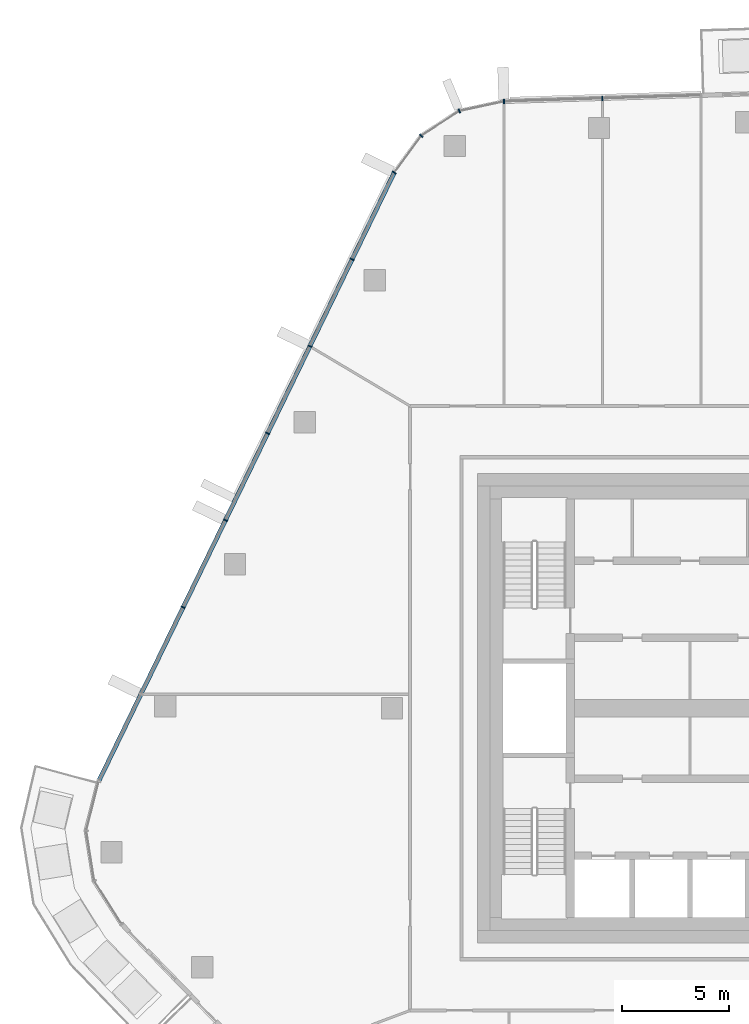
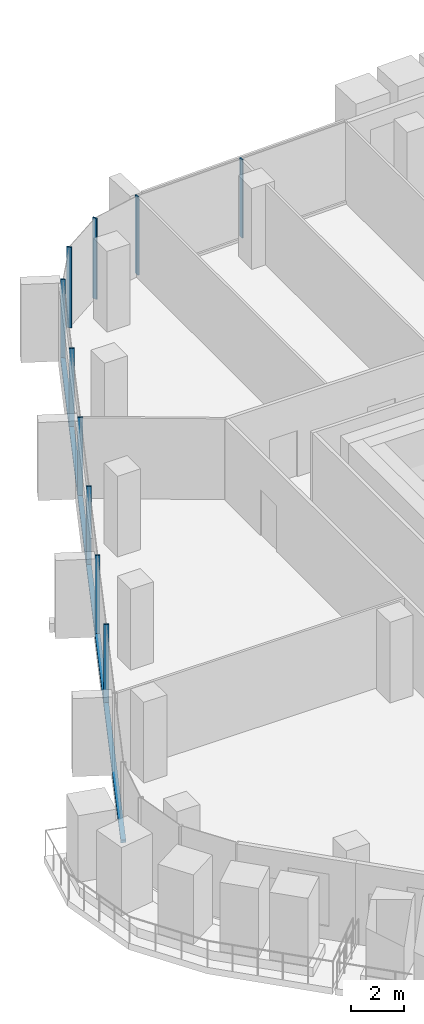
# One storey, part 6 of 24: 11 members, 3 elements without a shape of their own.
"""IFC4 building model written with IfcOpenShell, lengths in metres."""

from ifc_helpers import new_model, si_unit, direction, frame, origin, origin_2d, place, context, subcontext, project, spatial, rectangle, extrude, material, layer, layer_set, material_profile, profile_set, type_object, element, aggregate, save


model = new_model("IFC4")

# Units and contexts
model_context = context("Model", 3, precision=1e-05, world=origin(), true_north=direction((0.0, 1.0)))
body_context = subcontext(model_context, "Body", "Model", "MODEL_VIEW")
ifc_project = project(units=[si_unit("LENGTHUNIT", "METRE"), si_unit("AREAUNIT", "SQUARE_METRE"), si_unit("VOLUMEUNIT", "CUBIC_METRE"), si_unit("PLANEANGLEUNIT", "RADIAN"), si_unit("MASSUNIT", "GRAM", prefix="KILO")], contexts=[model_context])

# Site, building, storey
site_placement = place(None, origin())
site = spatial("IfcSite", under=ifc_project, at=site_placement, CompositionType="ELEMENT")
building_placement = place(site_placement, origin())
building = spatial("IfcBuilding", under=site, at=building_placement, Name="Dongbaek Canopy Tower", CompositionType="ELEMENT")
storey_placement = place(building_placement, frame((0.0, 0.0, 348.800048828125)))
storey = spatial("IfcBuildingStorey", under=building, at=storey_placement, Name="L75", CompositionType="ELEMENT", Elevation=348.800048828125)

# Curtain wall, members
ifc_material_1 = material(Name="Aluminium 6063-T6 pale anodised", Category="aluminium")
ifc_layer = layer(ifc_material_1, 0.199951171875)
ifc_layer_set = layer_set([ifc_layer], Name="CW-1 unitised tower curtain wall")
curtain_wall_type = type_object("IfcCurtainWallType", Name="CW-1 unitised tower curtain wall", PredefinedType="NOTDEFINED", material=ifc_layer_set)
curtain_wall_1_placement = place(storey_placement, origin())
curtain_wall_1 = element("IfcCurtainWall", 1, at=curtain_wall_1_placement, inside=storey, type_object=curtain_wall_type, Name="CW-1 curtain wall F1.1", PredefinedType="NOTDEFINED")
ifc_material_2 = material(Name="Aluminium 6063-T6 pale anodised", Category="aluminium")
ifc_material_profile_1 = material_profile(ifc_material_2, rectangle(XDim=0.199951171875, YDim=0.06005859375, at=origin_2d()), Name="CW-1 mullion 60 x 200")
ifc_profile_set_1 = profile_set([ifc_material_profile_1], Name="Aluminium 6063-T6 pale anodised")
member_type_1 = type_object("IfcMemberType", Name="CW-1 mullion 60 x 200", PredefinedType="MULLION", material=ifc_profile_set_1)
member_1_placement = place(storey_placement, frame((-8.1513671875, 28.553466796875, 0.119873046875), z_axis=(0.0, 0.0, 1.0), x_axis=(-0.031003432615, 0.999519278036, 0.0)))
member_1 = element("IfcMember", 2, at=member_1_placement, type_object=member_type_1, Name="CW-1 mullion F1.1.2", PredefinedType="MULLION", context=body_context, shape_type="SweptSolid", body=[
    extrude(rectangle(XDim=0.199951171875, YDim=0.06005859375, at=origin_2d()), origin(), (0.0, 0.0, 1.0), 3.580078125),
])
member_2_placement = place(storey_placement, frame((-12.7568359375, 28.41064453125, 0.119873046875), z_axis=(0.0, 0.0, 1.0), x_axis=(-0.031003432615, 0.999519278036, 0.0)))
member_2 = element("IfcMember", 3, at=member_2_placement, type_object=member_type_1, Name="CW-1 mullion F1.1.3", PredefinedType="MULLION", context=body_context, shape_type="SweptSolid", body=[
    extrude(rectangle(XDim=0.199951171875, YDim=0.06005859375, at=origin_2d()), origin(), (0.0, 0.0, 1.0), 3.580078125),
])
aggregate(curtain_wall_1, [member_1, member_2])

curtain_wall_2_placement = place(storey_placement, origin())
curtain_wall_2 = element("IfcCurtainWall", 4, at=curtain_wall_2_placement, inside=storey, type_object=curtain_wall_type, Name="CW-1 curtain wall K2.1", PredefinedType="NOTDEFINED")
member_3_placement = place(storey_placement, frame((-14.844970703125, 27.96044921875, 0.0), z_axis=(0.0, 0.0, 1.0), x_axis=(-0.383510845246, 0.923536372635, 0.0)))
member_3 = element("IfcMember", 5, at=member_3_placement, type_object=member_type_1, Name="CW-1 mullion K2.1.2", PredefinedType="MULLION", context=body_context, shape_type="SweptSolid", body=[
    extrude(rectangle(XDim=0.199951171875, YDim=0.06005859375, at=origin_2d()), origin(), (0.0, 0.0, 1.0), 3.699951171875),
])
member_4_placement = place(storey_placement, frame((-16.630126953125, 26.803955078125, 0.0), z_axis=(0.0, 0.0, 1.0), x_axis=(-0.68614847194, 0.727461527818, 0.0)))
member_4 = element("IfcMember", 6, at=member_4_placement, type_object=member_type_1, Name="CW-1 mullion K2.1.3", PredefinedType="MULLION", context=body_context, shape_type="SweptSolid", body=[
    extrude(rectangle(XDim=0.199951171875, YDim=0.06005859375, at=origin_2d()), origin(), (0.0, 0.0, 1.0), 3.699951171875),
])
member_5_placement = place(storey_placement, frame((-17.894287109375, 25.08203125, 0.0), z_axis=(0.0, 0.0, 1.0), x_axis=(-0.806066005564, 0.591825645502, 0.0)))
member_5 = element("IfcMember", 7, at=member_5_placement, type_object=member_type_1, Name="CW-1 mullion K2.1.4", PredefinedType="MULLION", context=body_context, shape_type="SweptSolid", body=[
    extrude(rectangle(XDim=0.199951171875, YDim=0.06005859375, at=origin_2d()), origin(), (0.0, 0.0, 1.0), 3.699951171875),
])
aggregate(curtain_wall_2, [member_3, member_4, member_5])

curtain_wall_3_placement = place(storey_placement, origin())
curtain_wall_3 = element("IfcCurtainWall", 8, at=curtain_wall_3_placement, inside=storey, type_object=curtain_wall_type, Name="CW-1 curtain wall F2.1", PredefinedType="NOTDEFINED")
member_6_placement = place(storey_placement, frame((-19.86767578125, 21.017822265625, 0.119873046875), z_axis=(0.0, 0.0, 1.0), x_axis=(-0.899562865898, 0.436791312067, 0.0)))
member_6 = element("IfcMember", 9, at=member_6_placement, type_object=member_type_1, Name="CW-1 mullion F2.1.2", PredefinedType="MULLION", context=body_context, shape_type="SweptSolid", body=[
    extrude(rectangle(XDim=0.199951171875, YDim=0.06005859375, at=origin_2d()), origin(), (0.0, 0.0, 1.0), 3.580078125),
])
member_7_placement = place(storey_placement, frame((-21.844970703125, 16.945556640625, 0.119873046875), z_axis=(0.0, 0.0, 1.0), x_axis=(-0.899562865898, 0.436791312067, 0.0)))
member_7 = element("IfcMember", 10, at=member_7_placement, type_object=member_type_1, Name="CW-1 mullion F2.1.3", PredefinedType="MULLION", context=body_context, shape_type="SweptSolid", body=[
    extrude(rectangle(XDim=0.199951171875, YDim=0.06005859375, at=origin_2d()), origin(), (0.0, 0.0, 1.0), 3.580078125),
])
member_8_placement = place(storey_placement, frame((-23.822265625, 12.873291015625, 0.119873046875), z_axis=(0.0, 0.0, 1.0), x_axis=(-0.899562865898, 0.436791312067, 0.0)))
member_8 = element("IfcMember", 11, at=member_8_placement, type_object=member_type_1, Name="CW-1 mullion F2.1.4", PredefinedType="MULLION", context=body_context, shape_type="SweptSolid", body=[
    extrude(rectangle(XDim=0.199951171875, YDim=0.06005859375, at=origin_2d()), origin(), (0.0, 0.0, 1.0), 3.580078125),
])
member_9_placement = place(storey_placement, frame((-25.7998046875, 8.80078125, 0.119873046875), z_axis=(0.0, 0.0, 1.0), x_axis=(-0.899562865898, 0.436791312067, 0.0)))
member_9 = element("IfcMember", 12, at=member_9_placement, type_object=member_type_1, Name="CW-1 mullion F2.1.5", PredefinedType="MULLION", context=body_context, shape_type="SweptSolid", body=[
    extrude(rectangle(XDim=0.199951171875, YDim=0.06005859375, at=origin_2d()), origin(), (0.0, 0.0, 1.0), 3.580078125),
])
member_10_placement = place(storey_placement, frame((-27.777099609375, 4.728515625, 0.119873046875), z_axis=(0.0, 0.0, 1.0), x_axis=(-0.899562865898, 0.436791312067, 0.0)))
member_10 = element("IfcMember", 13, at=member_10_placement, type_object=member_type_1, Name="CW-1 mullion F2.1.6", PredefinedType="MULLION", context=body_context, shape_type="SweptSolid", body=[
    extrude(rectangle(XDim=0.199951171875, YDim=0.06005859375, at=origin_2d()), origin(), (0.0, 0.0, 1.0), 3.580078125),
])
ifc_material_3 = material(Name="Aluminium 6063-T6 pale anodised", Category="aluminium")
ifc_material_profile_2 = material_profile(ifc_material_3, rectangle(XDim=0.199951171875, YDim=0.1201171875, at=origin_2d()), Name="CW-1 transom 120 x 200")
ifc_profile_set_2 = profile_set([ifc_material_profile_2], Name="Aluminium 6063-T6 pale anodised")
member_type_2 = type_object("IfcMemberType", Name="CW-1 transom 120 x 200", PredefinedType="USERDEFINED", material=ifc_profile_set_2)
member_11_placement = place(storey_placement, frame((-17.894287109375, 25.08203125, 0.06005859375), z_axis=(-0.436788655982, -0.899564155581, 0.0), x_axis=(0.899564155581, -0.436788655982, 0.0)))
member_11 = element("IfcMember", 14, at=member_11_placement, type_object=member_type_2, Name="CW-1 transom F2.1.1", ObjectType="TRANSOM", PredefinedType="USERDEFINED", context=body_context, shape_type="SweptSolid", body=[
    extrude(rectangle(XDim=0.199951171875, YDim=0.1201171875, at=origin_2d()), origin(), (0.0, 0.0, 1.0), 31.669677734375),
])
aggregate(curtain_wall_3, [member_6, member_7, member_8, member_9, member_10, member_11])

save(model, "model.ifc")
